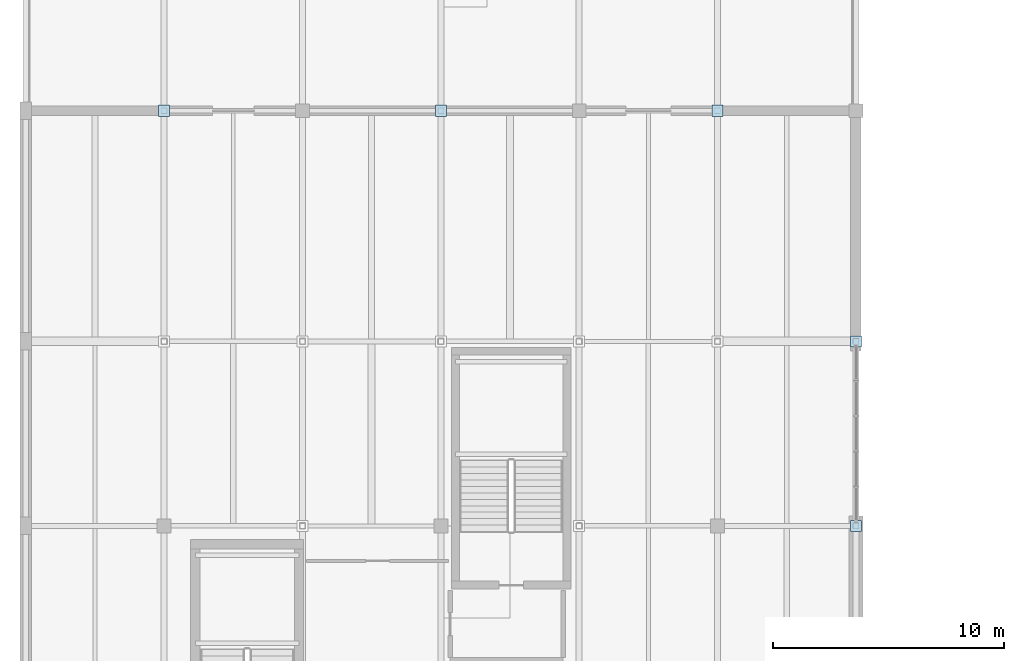
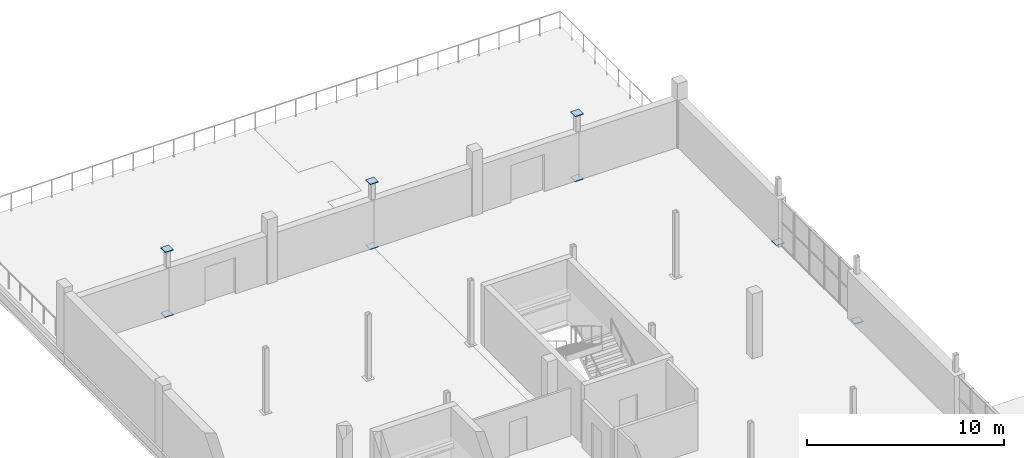
# One storey, part 85 of 96: 8 plates.
"""IFC4 building model written with IfcOpenShell, lengths in metres."""

from ifc_helpers import new_model, si_unit, direction, frame, origin, origin_2d, place, context, subcontext, project, spatial, rectangle, extrude, material, layer, layer_set, type_object, element, save


model = new_model("IFC4")

# Units and contexts
model_context = context("Model", 3, precision=1e-05, world=origin(), true_north=direction((0.0, 1.0)))
body_context = subcontext(model_context, "Body", "Model", "MODEL_VIEW")
ifc_project = project(units=[si_unit("LENGTHUNIT", "METRE"), si_unit("AREAUNIT", "SQUARE_METRE"), si_unit("VOLUMEUNIT", "CUBIC_METRE"), si_unit("PLANEANGLEUNIT", "RADIAN"), si_unit("MASSUNIT", "GRAM", prefix="KILO")], contexts=[model_context])

# Site, building, storey
site_placement = place(None, origin())
site = spatial("IfcSite", under=ifc_project, at=site_placement, CompositionType="ELEMENT")
building_placement = place(site_placement, origin())
building = spatial("IfcBuilding", under=site, at=building_placement, Name="Verrall Gate Interchange", CompositionType="ELEMENT")
storey_placement = place(building_placement, frame((0.0, 0.0, 11.39990234375)))
storey = spatial("IfcBuildingStorey", under=building, at=storey_placement, Name="L03", CompositionType="ELEMENT", Elevation=11.39990234375)

# Plates
ifc_material = material(Name="Structural Steel CSA G40.21 350WT Cat 4", Category="steel")
ifc_layer = layer(ifc_material, 0.0400390625)
ifc_layer_set = layer_set([ifc_layer], Name="Structural Steel CSA G40.21 350WT Cat 4")
plate_type = type_object("IfcPlateType", Name="BP-01 Base Plate 40", PredefinedType="USERDEFINED", material=ifc_layer_set)
for number, where, z_axis, x_axis, name in (
    (1, (6.0, 84.0, -0.02001953125), (0.0, 0.0, 1.0), (1.0, 0.0, 0.0), "L03 Hollow Column Transition Cap Plate 0240"),
    (2, (6.0, 84.0, 4.0), (0.0, 0.0, 1.0), (1.0, 0.0, 0.0), "L03 Hollow Column Top Cap Plate 0241"),
    (3, (18.0, 84.0, -0.02001953125), (0.0, 0.0, 1.0), (1.0, 0.0, 0.0), "L03 Hollow Column Transition Cap Plate 0474"),
    (4, (18.0, 84.0, 4.0), (0.0, 0.0, 1.0), (1.0, 0.0, 0.0), "L03 Hollow Column Top Cap Plate 0475"),
    (5, (30.0, 84.0, -0.02001953125), (0.0, 0.0, 1.0), (1.0, 0.0, 0.0), "L03 Hollow Column Transition Cap Plate 0708"),
    (6, (30.0, 84.0, 4.0), (0.0, 0.0, 1.0), (1.0, 0.0, 0.0), "L03 Hollow Column Top Cap Plate 0709"),
    (7, (36.0, 66.0, -0.02001953125), (0.0, 0.0, 1.0), (1.0, 0.0, 0.0), "L03 Hollow Column Transition Cap Plate 0805"),
    (8, (36.0, 74.0, -0.02001953125), (0.0, 0.0, 1.0), (1.0, 0.0, 0.0), "L03 Hollow Column Transition Cap Plate 0812"),
):
    element("IfcPlate", number, at=place(storey_placement, frame(where, z_axis=z_axis, x_axis=x_axis)), inside=storey, type_object=plate_type, Name=name, ObjectType="BASE_PLATE", PredefinedType="USERDEFINED", context=body_context, shape_type="SweptSolid", body=[
        extrude(rectangle(XDim=0.47998046875, YDim=0.47998046875, at=origin_2d()), origin(), (0.0, 0.0, 1.0), 0.0400390625),
    ])

save(model, "model.ifc")
